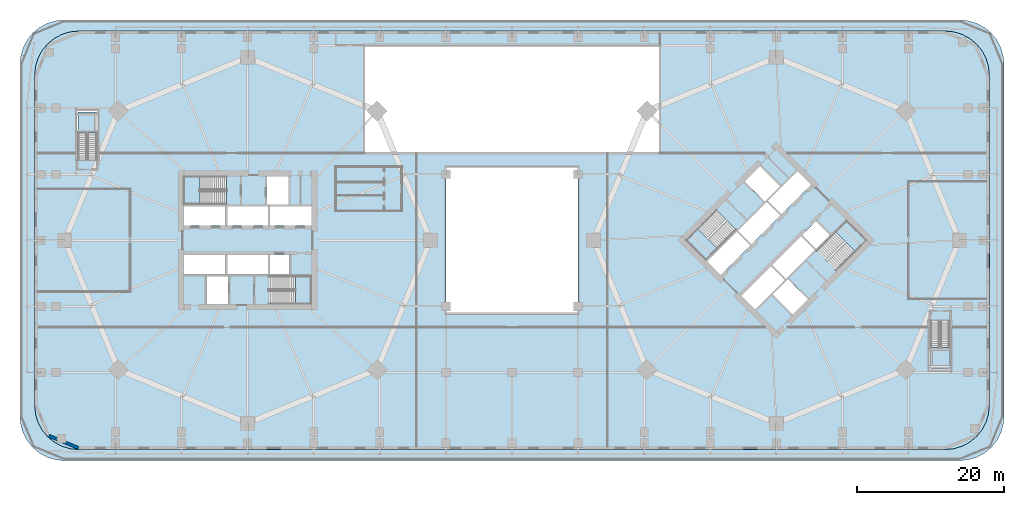
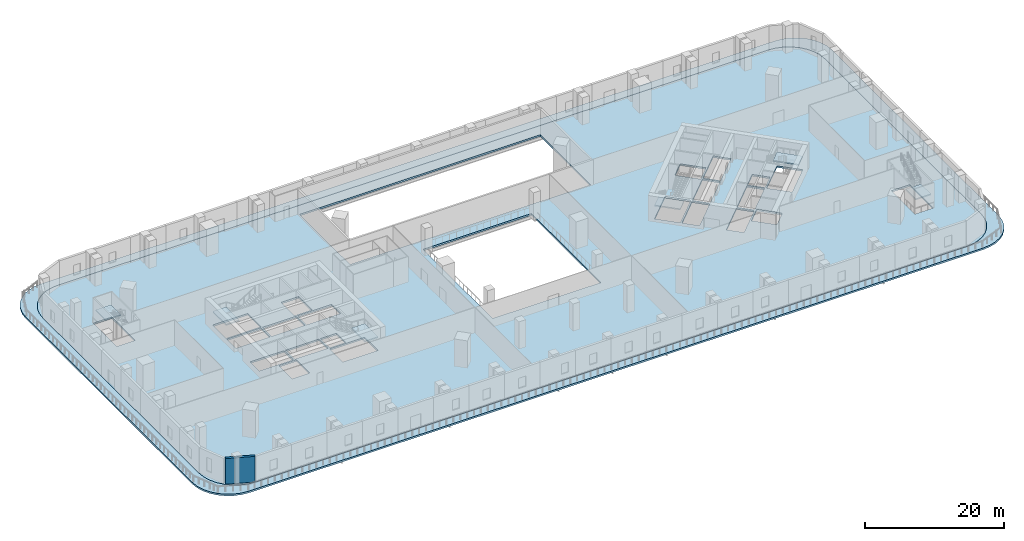
# One storey, part 3 of 17: 8 slabs, 1 wall, 6 elements without a shape of their own.
"""IFC4 building model written with IfcOpenShell, lengths in metres."""

from ifc_helpers import new_model, si_unit, direction, frame, frame_2d, origin, place, context, subcontext, project, spatial, polyline, rectangle, outline, extrude, material, layer, layer_set, type_object, element, aggregate, save


model = new_model("IFC4")

# Units and contexts
model_context = context("Model", 3, precision=1e-05, world=origin(), true_north=direction((0.0, 1.0)))
body_context = subcontext(model_context, "Body", "Model", "MODEL_VIEW")
ifc_project = project(units=[si_unit("LENGTHUNIT", "METRE"), si_unit("AREAUNIT", "SQUARE_METRE"), si_unit("VOLUMEUNIT", "CUBIC_METRE"), si_unit("PLANEANGLEUNIT", "RADIAN"), si_unit("MASSUNIT", "GRAM", prefix="KILO")], contexts=[model_context])

# Site, building, storey
site_placement = place(None, origin())
site = spatial("IfcSite", under=ifc_project, at=site_placement, CompositionType="ELEMENT")
building_placement = place(site_placement, origin())
building = spatial("IfcBuilding", under=site, at=building_placement, Name="Ogive Gate Towers", CompositionType="ELEMENT")
storey_placement = place(building_placement, frame((0.0, 0.0, 18.0)))
storey = spatial("IfcBuildingStorey", under=building, at=storey_placement, Name="L03", CompositionType="ELEMENT", Elevation=18.0)

# Slab
ifc_material_1 = material(Name="Concrete C35/45", Category="concrete")
ifc_layer_1 = layer(ifc_material_1, 0.300048828125)
ifc_layer_set_1 = layer_set([ifc_layer_1], Name="Floor slab 300")
slab_type_1 = type_object("IfcSlabType", Name="Floor slab 300", PredefinedType="FLOOR", material=ifc_layer_set_1)
slab_1_placement = place(storey_placement, frame((0.0, 0.0, -0.300048828125)))
element("IfcSlab", 1, at=slab_1_placement, inside=storey, type_object=slab_type_1, Name="PD/L03/SSL001", PredefinedType="FLOOR", context=body_context, shape_type="SweptSolid", body=[
    extrude(outline(polyline([(63.98876953125, 25.83349609375), (63.24267578125, 26.74267578125), (62.33349609375, 27.48876953125), (61.296142578125, 28.043212890625), (60.170654296875, 28.384765625), (59.0, 28.5), (-59.0, 28.5), (-60.170654296875, 28.384765625), (-61.296142578125, 28.043212890625), (-62.33349609375, 27.48876953125), (-63.24267578125, 26.74267578125), (-63.98876953125, 25.83349609375), (-64.543212890625, 24.796142578125), (-64.884765625, 23.670654296875), (-65.0, 22.5), (-65.0, -22.5), (-64.884765625, -23.670654296875), (-64.543212890625, -24.796142578125), (-63.98876953125, -25.83349609375), (-63.24267578125, -26.74267578125), (-62.33349609375, -27.48876953125), (-61.296142578125, -28.043212890625), (-60.170654296875, -28.384765625), (-59.0, -28.5), (59.0, -28.5), (60.170654296875, -28.384765625), (61.296142578125, -28.043212890625), (62.33349609375, -27.48876953125), (63.24267578125, -26.74267578125), (63.98876953125, -25.83349609375), (64.543212890625, -24.796142578125), (64.884765625, -23.670654296875), (65.0, -22.5), (65.0, 22.5), (64.884765625, 23.670654296875), (64.543212890625, 24.796142578125), (63.98876953125, 25.83349609375)]), holes=[polyline([(-9.0, -10.0), (-9.0, 10.0), (9.0, 10.0), (9.0, -10.0), (-9.0, -10.0)]), polyline([(-20.0, 26.5), (20.0, 26.5), (20.0, 12.0), (-20.0, 12.0), (-20.0, 26.5)]), polyline([(-56.300048828125, 10.965087890625), (-59.35009765625, 10.965087890625), (-59.35009765625, 17.719970703125), (-56.300048828125, 17.719970703125), (-56.300048828125, 10.965087890625)]), polyline([(59.800048828125, -10.965087890625), (59.800048828125, -17.719970703125), (56.75, -17.719970703125), (56.75, -10.965087890625), (59.800048828125, -10.965087890625)]), polyline([(-39.02490234375, 2.0), (-44.699951171875, 2.0), (-44.699951171875, 4.625), (-39.02490234375, 4.625), (-39.02490234375, 2.0)]), polyline([(-38.77490234375, 4.625), (-33.22509765625, 4.625), (-33.22509765625, 2.0), (-38.77490234375, 2.0), (-38.77490234375, 4.625)]), polyline([(-27.300048828125, 2.0), (-32.97509765625, 2.0), (-32.97509765625, 4.625), (-27.300048828125, 4.625), (-27.300048828125, 2.0)]), polyline([(-44.699951171875, -2.0), (-39.02490234375, -2.0), (-39.02490234375, -4.625), (-44.699951171875, -4.625), (-44.699951171875, -2.0)]), polyline([(-33.22509765625, -4.625), (-38.77490234375, -4.625), (-38.77490234375, -2.0), (-33.22509765625, -2.0), (-33.22509765625, -4.625)]), polyline([(-32.97509765625, -2.0), (-30.324951171875, -2.0), (-30.324951171875, -4.625), (-32.97509765625, -4.625), (-32.97509765625, -2.0)]), polyline([(-30.425048828125, 4.875), (-33.375, 4.875), (-33.375, 8.699951171875), (-30.425048828125, 8.699951171875), (-30.425048828125, 4.875)]), polyline([(-41.574951171875, -4.875), (-38.625, -4.875), (-38.625, -8.699951171875), (-41.574951171875, -8.699951171875), (-41.574951171875, -4.875)]), polyline([(-44.699951171875, 8.699951171875), (-38.885009765625, 8.699951171875), (-38.885009765625, 4.875), (-44.699951171875, 4.875), (-44.699951171875, 8.699951171875)]), polyline([(-33.114990234375, -4.875), (-27.300048828125, -4.875), (-27.300048828125, -8.699951171875), (-33.114990234375, -8.699951171875), (-33.114990234375, -4.875)]), polyline([(26.577880859375, -2.88134765625), (30.590576171875, 1.13134765625), (32.44677734375, -0.724853515625), (28.433837890625, -4.737548828125), (26.577880859375, -2.88134765625)]), polyline([(36.548095703125, 3.37646484375), (32.62353515625, -0.548095703125), (30.767333984375, 1.30810546875), (34.69189453125, 5.232666015625), (36.548095703125, 3.37646484375)]), polyline([(34.86865234375, 5.409423828125), (38.88134765625, 9.422119140625), (40.737548828125, 7.566162109375), (36.724853515625, 3.55322265625), (34.86865234375, 5.409423828125)]), polyline([(37.13134765625, -5.409423828125), (33.11865234375, -9.422119140625), (31.262451171875, -7.566162109375), (35.275146484375, -3.55322265625), (37.13134765625, -5.409423828125)]), polyline([(35.451904296875, -3.37646484375), (39.37646484375, 0.548095703125), (41.232666015625, -1.30810546875), (37.30810546875, -5.232666015625), (35.451904296875, -3.37646484375)]), polyline([(43.283203125, 0.742431640625), (41.409423828125, -1.13134765625), (39.55322265625, 0.724853515625), (41.427001953125, 2.5986328125), (43.283203125, 0.742431640625)]), polyline([(31.704345703125, 8.008056640625), (33.790283203125, 10.093994140625), (36.494873046875, 7.38916015625), (34.408935546875, 5.30322265625), (31.704345703125, 8.008056640625)]), polyline([(40.295654296875, -8.008056640625), (38.209716796875, -10.093994140625), (35.505126953125, -7.38916015625), (37.591064453125, -5.30322265625), (40.295654296875, -8.008056640625)]), polyline([(30.512939453125, 1.4072265625), (26.401123046875, -2.70458984375), (23.6962890625, 0.0), (27.80810546875, 4.11181640625), (30.512939453125, 1.4072265625)]), polyline([(48.3037109375, 0.0), (44.19189453125, -4.11181640625), (41.487060546875, -1.4072265625), (45.598876953125, 2.70458984375), (48.3037109375, 0.0)])]), origin(), (0.0, 0.0, 1.0), 0.300048828125),
])

# Stair, slab
ifc_material_2 = material(Name="Reinforced concrete C32/40", Category="concrete")
stair_type_1 = type_object("IfcStairType", Name="Escape stair 171 x 280", PredefinedType="HALF_TURN_STAIR", material=ifc_material_2)
stair_1_placement = place(storey_placement, origin())
stair_1 = element("IfcStair", 2, at=stair_1_placement, inside=storey, type_object=stair_type_1, Name="L03 escape stair", PredefinedType="HALF_TURN_STAIR")
ifc_layer_2 = layer(ifc_material_2, 0.199951171875)
ifc_layer_set_2 = layer_set([ifc_layer_2], Name="Stair landing 200")
slab_type_2 = type_object("IfcSlabType", Name="Stair landing 200", PredefinedType="LANDING", material=ifc_layer_set_2)
slab_2_placement = place(storey_placement, frame((0.0, 0.0, 2.199951171875)))
slab_2 = element("IfcSlab", 3, at=slab_2_placement, type_object=slab_type_2, Name="PS1 landing 1", PredefinedType="LANDING", context=body_context, shape_type="SweptSolid", body=[
    extrude(outline(polyline([(-56.550048828125, 14.590087890625), (-56.550048828125, 17.469970703125), (-59.10009765625, 17.469970703125), (-59.10009765625, 14.590087890625), (-56.550048828125, 14.590087890625)])), origin(), (0.0, 0.0, 1.0), 0.199951171875),
])
aggregate(stair_1, [slab_2])

stair_2_placement = place(storey_placement, origin())
stair_2 = element("IfcStair", 4, at=stair_2_placement, inside=storey, type_object=stair_type_1, Name="L03 escape stair", PredefinedType="HALF_TURN_STAIR")
slab_3_placement = place(storey_placement, frame((0.0, 0.0, 2.199951171875)))
slab_3 = element("IfcSlab", 5, at=slab_3_placement, type_object=slab_type_2, Name="PS2 landing 1", PredefinedType="LANDING", context=body_context, shape_type="SweptSolid", body=[
    extrude(outline(polyline([(57.0, -14.590087890625), (57.0, -17.469970703125), (59.550048828125, -17.469970703125), (59.550048828125, -14.590087890625), (57.0, -14.590087890625)])), origin(), (0.0, 0.0, 1.0), 0.199951171875),
])
aggregate(stair_2, [slab_3])

ifc_material_3 = material(Name="Concrete C40/50", Category="concrete")
stair_type_2 = type_object("IfcStairType", Name="Escape stair 1840 wide", PredefinedType="HALF_TURN_STAIR", material=ifc_material_3)
stair_3_placement = place(storey_placement, origin())
stair_3 = element("IfcStair", 6, at=stair_3_placement, inside=storey, type_object=stair_type_2, Name="L03 Escape stair 1", PredefinedType="HALF_TURN_STAIR")
ifc_layer_3 = layer(ifc_material_3, 0.199951171875)
ifc_layer_set_3 = layer_set([ifc_layer_3], Name="Stair landing 200 mm")
slab_type_3 = type_object("IfcSlabType", Name="Stair landing 200 mm", PredefinedType="LANDING", material=ifc_layer_set_3)
slab_4_placement = place(storey_placement, frame((0.0, 0.0, 2.199951171875)))
slab_4 = element("IfcSlab", 7, at=slab_4_placement, type_object=slab_type_3, Name="ST1 landing 1", PredefinedType="LANDING", context=body_context, shape_type="SweptSolid", body=[
    extrude(outline(polyline([(-42.5048828125, 8.699951171875), (-44.699951171875, 8.699951171875), (-44.699951171875, 4.875), (-42.5048828125, 4.875), (-42.5048828125, 8.699951171875)])), origin(), (0.0, 0.0, 1.0), 0.199951171875),
])
aggregate(stair_3, [slab_4])

stair_4_placement = place(storey_placement, origin())
stair_4 = element("IfcStair", 8, at=stair_4_placement, inside=storey, type_object=stair_type_2, Name="L03 Escape stair 2", PredefinedType="HALF_TURN_STAIR")
slab_5_placement = place(storey_placement, frame((0.0, 0.0, 2.199951171875)))
slab_5 = element("IfcSlab", 9, at=slab_5_placement, type_object=slab_type_3, Name="ST2 landing 1", PredefinedType="LANDING", context=body_context, shape_type="SweptSolid", body=[
    extrude(outline(polyline([(-29.4951171875, -8.699951171875), (-27.300048828125, -8.699951171875), (-27.300048828125, -4.875), (-29.4951171875, -4.875), (-29.4951171875, -8.699951171875)])), origin(), (0.0, 0.0, 1.0), 0.199951171875),
])
aggregate(stair_4, [slab_5])

stair_5_placement = place(storey_placement, origin())
stair_5 = element("IfcStair", 10, at=stair_5_placement, inside=storey, type_object=stair_type_2, Name="L03 Escape stair 1", PredefinedType="HALF_TURN_STAIR")
slab_6_placement = place(storey_placement, frame((0.0, 0.0, 2.199951171875)))
slab_6 = element("IfcSlab", 11, at=slab_6_placement, type_object=slab_type_3, Name="ST1 landing 1", PredefinedType="LANDING", context=body_context, shape_type="SweptSolid", body=[
    extrude(outline(polyline([(25.24853515625, 1.552001953125), (23.6962890625, 0.0), (26.401123046875, -2.70458984375), (27.953125, -1.152587890625), (25.24853515625, 1.552001953125)])), origin(), (0.0, 0.0, 1.0), 0.199951171875),
])
aggregate(stair_5, [slab_6])

stair_6_placement = place(storey_placement, origin())
stair_6 = element("IfcStair", 12, at=stair_6_placement, inside=storey, type_object=stair_type_2, Name="L03 Escape stair 2", PredefinedType="HALF_TURN_STAIR")
slab_7_placement = place(storey_placement, frame((0.0, 0.0, 2.199951171875)))
slab_7 = element("IfcSlab", 13, at=slab_7_placement, type_object=slab_type_3, Name="ST2 landing 1", PredefinedType="LANDING", context=body_context, shape_type="SweptSolid", body=[
    extrude(outline(polyline([(46.75146484375, -1.552001953125), (48.3037109375, 0.0), (45.598876953125, 2.70458984375), (44.046875, 1.152587890625), (46.75146484375, -1.552001953125)])), origin(), (0.0, 0.0, 1.0), 0.199951171875),
])
aggregate(stair_6, [slab_7])

# Slab
ifc_layer_4 = layer(ifc_material_1, 0.300048828125)
ifc_layer_set_4 = layer_set([ifc_layer_4], Name="Terrace slab 300")
slab_type_4 = type_object("IfcSlabType", Name="Terrace slab 300", PredefinedType="FLOOR", material=ifc_layer_set_4)
slab_8_placement = place(storey_placement, frame((0.0, 0.0, -0.300048828125)))
element("IfcSlab", 14, at=slab_8_placement, inside=storey, type_object=slab_type_4, Name="PD/L03/SSL002", PredefinedType="FLOOR", context=body_context, shape_type="SweptSolid", body=[
    extrude(outline(polyline([(-61.0, -30.0), (61.0, -30.0), (62.170654296875, -29.884765625), (63.296142578125, -29.543212890625), (64.33349609375, -28.98876953125), (65.24267578125, -28.24267578125), (65.98876953125, -27.33349609375), (66.543212890625, -26.296142578125), (66.884765625, -25.170654296875), (67.0, -24.0), (67.0, 24.0), (66.884765625, 25.170654296875), (66.543212890625, 26.296142578125), (65.98876953125, 27.33349609375), (65.24267578125, 28.24267578125), (64.33349609375, 28.98876953125), (63.296142578125, 29.543212890625), (62.170654296875, 29.884765625), (61.0, 30.0), (-61.0, 30.0), (-62.170654296875, 29.884765625), (-63.296142578125, 29.543212890625), (-64.33349609375, 28.98876953125), (-65.24267578125, 28.24267578125), (-65.98876953125, 27.33349609375), (-66.543212890625, 26.296142578125), (-66.884765625, 25.170654296875), (-67.0, 24.0), (-67.0, -24.0), (-66.884765625, -25.170654296875), (-66.543212890625, -26.296142578125), (-65.98876953125, -27.33349609375), (-65.24267578125, -28.24267578125), (-64.33349609375, -28.98876953125), (-63.296142578125, -29.543212890625), (-62.170654296875, -29.884765625), (-61.0, -30.0)]), holes=[polyline([(60.170654296875, -28.384765625), (59.0, -28.5), (-59.0, -28.5), (-60.170654296875, -28.384765625), (-61.296142578125, -28.043212890625), (-62.33349609375, -27.48876953125), (-63.24267578125, -26.74267578125), (-63.98876953125, -25.83349609375), (-64.543212890625, -24.796142578125), (-64.884765625, -23.670654296875), (-65.0, -22.5), (-65.0, 22.5), (-64.884765625, 23.670654296875), (-64.543212890625, 24.796142578125), (-63.98876953125, 25.83349609375), (-63.24267578125, 26.74267578125), (-62.33349609375, 27.48876953125), (-61.296142578125, 28.043212890625), (-60.170654296875, 28.384765625), (-59.0, 28.5), (59.0, 28.5), (60.170654296875, 28.384765625), (61.296142578125, 28.043212890625), (62.33349609375, 27.48876953125), (63.24267578125, 26.74267578125), (63.98876953125, 25.83349609375), (64.543212890625, 24.796142578125), (64.884765625, 23.670654296875), (65.0, 22.5), (65.0, -22.5), (64.884765625, -23.670654296875), (64.543212890625, -24.796142578125), (63.98876953125, -25.83349609375), (63.24267578125, -26.74267578125), (62.33349609375, -27.48876953125), (61.296142578125, -28.043212890625), (60.170654296875, -28.384765625)])]), origin(), (0.0, 0.0, 1.0), 0.300048828125),
])

# Wall
ifc_material_4 = material(Name="Precast concrete C40/50", Category="concrete")
ifc_layer_5 = layer(ifc_material_4, 0.39990234375)
ifc_layer_set_5 = layer_set([ifc_layer_5], Name="Podium wall 400")
wall_type = type_object("IfcWallType", Name="Podium wall 400", PredefinedType="SOLIDWALL", material=ifc_layer_set_5)
wall_placement = place(storey_placement, frame((-63.024658203125, -26.6328125, 0.0), z_axis=(0.0, 0.0, 1.0), x_axis=(0.923854820772, -0.382743086333, 0.0)))
element("IfcWall", 15, at=wall_placement, inside=storey, type_object=wall_type, Name="Podium wall", PredefinedType="SOLIDWALL", context=body_context, shape_type="SweptSolid", body=[
    extrude(rectangle(XDim=4.31640625, YDim=0.39990234375, at=frame_2d((2.158203125, 0.0))), origin(), (0.0, 0.0, 1.0), 4.5),
])

save(model, "model.ifc")
